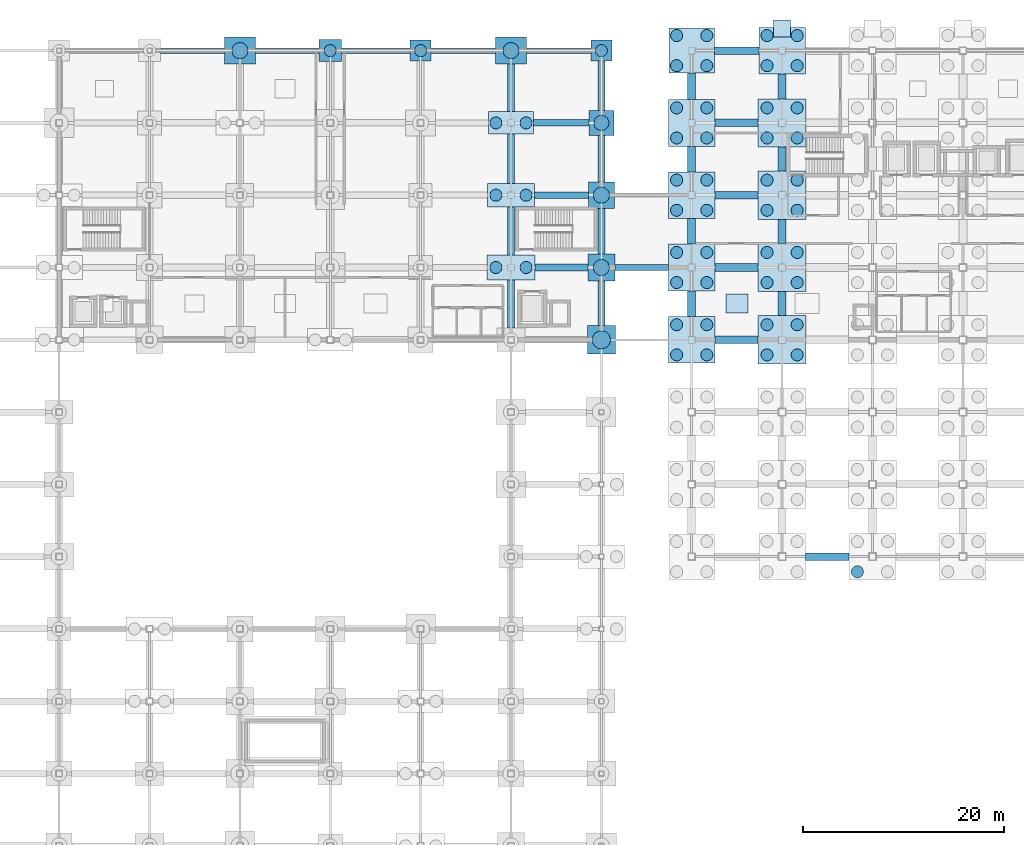
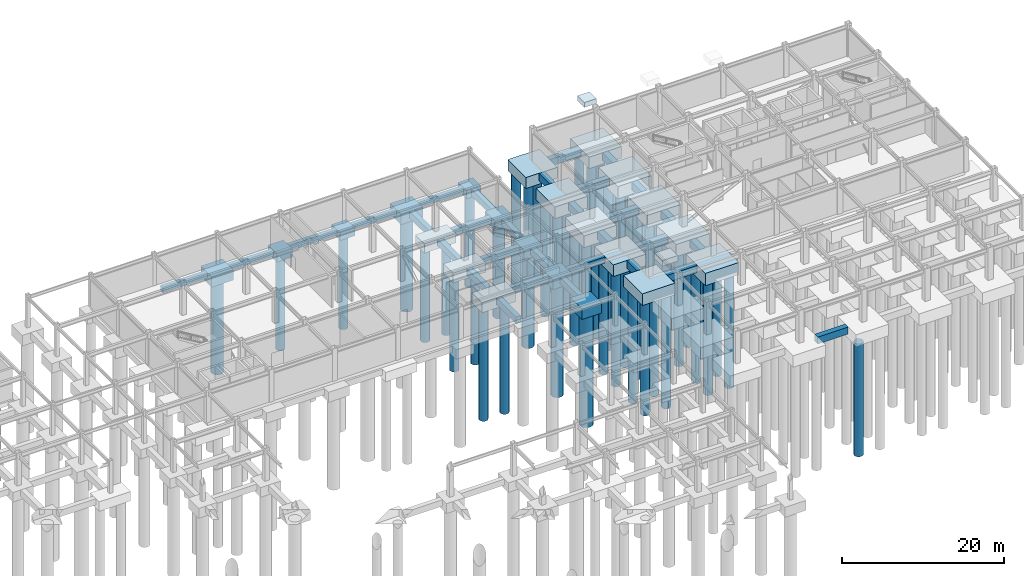
# One storey, part 8 of 28: 56 piles, 55 footings.
"""IFC4 building model written with IfcOpenShell, lengths in metres."""

from ifc_helpers import new_model, si_unit, direction, frame, origin, origin_2d, place, context, subcontext, project, spatial, rectangle, circle, extrude, material, material_profile, profile_set, type_object, element, save


model = new_model("IFC4")

# Units and contexts
model_context = context("Model", 3, precision=1e-05, world=origin(), true_north=direction((0.0, 1.0)))
body_context = subcontext(model_context, "Body", "Model", "MODEL_VIEW")
ifc_project = project(units=[si_unit("LENGTHUNIT", "METRE"), si_unit("AREAUNIT", "SQUARE_METRE"), si_unit("VOLUMEUNIT", "CUBIC_METRE"), si_unit("PLANEANGLEUNIT", "RADIAN"), si_unit("MASSUNIT", "GRAM", prefix="KILO")], contexts=[model_context])

# Site, building, storey
site_placement = place(None, origin())
site = spatial("IfcSite", under=ifc_project, at=site_placement, CompositionType="ELEMENT")
building_placement = place(site_placement, origin())
building = spatial("IfcBuilding", under=site, at=building_placement, Name="Kazanami Central Library", CompositionType="ELEMENT")
storey_placement = place(building_placement, frame((0.0, 0.0, -4.89990234375)))
storey = spatial("IfcBuildingStorey", under=building, at=storey_placement, Name="B01", CompositionType="ELEMENT", Elevation=-4.89990234375)

# Footings
ifc_material_1 = material(Name="Concrete Fc36 (36 MPa)", Category="concrete")
ifc_material_profile_1 = material_profile(ifc_material_1, rectangle(XDim=0.550048828125, YDim=0.85009765625, at=origin_2d()), Name="RC-550x850")
ifc_profile_set_1 = profile_set([ifc_material_profile_1], Name="Concrete Fc36 (36 MPa)")
footing_type_1 = type_object("IfcFootingType", Name="FTG-GB-01", PredefinedType="FOOTING_BEAM", material=ifc_profile_set_1)
for number, where, z_axis, x_axis, name in (
    (1, (64.10009765625, 93.60009765625, -1.045166015625), (1.0, 0.0, 0.0), (0.0, 1.0, 0.0), "Ground Tie Beam GB-01 O/8-9"),
    (2, (73.550048828125, 93.60009765625, -1.045166015625), (1.0, 0.0, 0.0), (0.0, 1.0, 0.0), "Ground Tie Beam GB-01 O/9-10"),
):
    element("IfcFooting", number, at=place(storey_placement, frame(where, z_axis=z_axis, x_axis=x_axis)), inside=storey, type_object=footing_type_1, Name=name, PredefinedType="FOOTING_BEAM", context=body_context, shape_type="SweptSolid", body=[
        extrude(rectangle(XDim=0.550048828125, YDim=0.85009765625, at=origin_2d()), origin(), (0.0, 0.0, 1.0), 6.349853515625),
    ])
footing_1_placement = place(storey_placement, frame((82.10009765625, 93.60009765625, -1.045166015625), z_axis=(1.0, 0.0, 0.0), x_axis=(0.0, 1.0, 0.0)))
element("IfcFooting", 3, at=footing_1_placement, inside=storey, type_object=footing_type_1, Name="Ground Tie Beam GB-01 O/10-11", PredefinedType="FOOTING_BEAM", context=body_context, shape_type="SweptSolid", body=[
    extrude(rectangle(XDim=0.550048828125, YDim=0.85009765625, at=origin_2d()), origin(), (0.0, 0.0, 1.0), 6.849853515625),
])
for number, where, z_axis, x_axis, name in (
    (4, (91.050048828125, 93.60009765625, -1.045166015625), (1.0, 0.0, 0.0), (0.0, 1.0, 0.0), "Ground Tie Beam GB-01 O/11-12"),
    (5, (100.550048828125, 93.60009765625, -1.045166015625), (1.0, 0.0, 0.0), (0.0, 1.0, 0.0), "Ground Tie Beam GB-01 O/12-13"),
):
    element("IfcFooting", number, at=place(storey_placement, frame(where, z_axis=z_axis, x_axis=x_axis)), inside=storey, type_object=footing_type_1, Name=name, PredefinedType="FOOTING_BEAM", context=body_context, shape_type="SweptSolid", body=[
        extrude(rectangle(XDim=0.550048828125, YDim=0.85009765625, at=origin_2d()), origin(), (0.0, 0.0, 1.0), 6.39990234375),
    ])
ifc_material_profile_2 = material_profile(ifc_material_1, rectangle(XDim=0.60009765625, YDim=0.89990234375, at=origin_2d()), Name="RC-600x900")
ifc_profile_set_2 = profile_set([ifc_material_profile_2], Name="Concrete Fc36 (36 MPa)")
footing_type_2 = type_object("IfcFootingType", Name="FTG-GB-02", PredefinedType="FOOTING_BEAM", material=ifc_profile_set_2)
footing_2_placement = place(storey_placement, frame((109.35009765625, 72.0, -1.070068359375), z_axis=(1.0, 0.0, 0.0), x_axis=(0.0, 1.0, 0.0)))
element("IfcFooting", 6, at=footing_2_placement, inside=storey, type_object=footing_type_2, Name="Ground Tie Beam GB-02 L/13-14", PredefinedType="FOOTING_BEAM", context=body_context, shape_type="SweptSolid", body=[
    extrude(rectangle(XDim=0.60009765625, YDim=0.89990234375, at=origin_2d()), origin(), (0.0, 0.0, 1.0), 5.324951171875),
])
ifc_material_profile_3 = material_profile(ifc_material_1, rectangle(XDim=0.64990234375, YDim=0.949951171875, at=origin_2d()), Name="RC-650x950")
ifc_profile_set_3 = profile_set([ifc_material_profile_3], Name="Concrete Fc36 (36 MPa)")
footing_type_3 = type_object("IfcFootingType", Name="FTG-GB-03", PredefinedType="FOOTING_BEAM", material=ifc_profile_set_3)
footing_3_placement = place(storey_placement, frame((101.39990234375, 72.0, -1.09521484375), z_axis=(1.0, 0.0, 0.0), x_axis=(0.0, 1.0, 0.0)))
element("IfcFooting", 7, at=footing_3_placement, inside=storey, type_object=footing_type_3, Name="Ground Tie Beam GB-03 L/12-13", PredefinedType="FOOTING_BEAM", context=body_context, shape_type="SweptSolid", body=[
    extrude(rectangle(XDim=0.64990234375, YDim=0.949951171875, at=origin_2d()), origin(), (0.0, 0.0, 1.0), 5.25),
])
footing_4_placement = place(storey_placement, frame((101.324951171875, 79.199951171875, -1.09521484375), z_axis=(1.0, 0.0, 0.0), x_axis=(0.0, 1.0, 0.0)))
element("IfcFooting", 8, at=footing_4_placement, inside=storey, type_object=footing_type_3, Name="Ground Tie Beam GB-03 M/12-13", PredefinedType="FOOTING_BEAM", context=body_context, shape_type="SweptSolid", body=[
    extrude(rectangle(XDim=0.64990234375, YDim=0.949951171875, at=origin_2d()), origin(), (0.0, 0.0, 1.0), 5.375),
])
footing_5_placement = place(storey_placement, frame((101.25, 86.39990234375, -1.09521484375), z_axis=(1.0, 0.0, 0.0), x_axis=(0.0, 1.0, 0.0)))
element("IfcFooting", 9, at=footing_5_placement, inside=storey, type_object=footing_type_3, Name="Ground Tie Beam GB-03 N/12-13", PredefinedType="FOOTING_BEAM", context=body_context, shape_type="SweptSolid", body=[
    extrude(rectangle(XDim=0.64990234375, YDim=0.949951171875, at=origin_2d()), origin(), (0.0, 0.0, 1.0), 5.5),
])
ifc_material_profile_4 = material_profile(ifc_material_1, rectangle(XDim=0.699951171875, YDim=1.0, at=origin_2d()), Name="RC-700x1000")
ifc_profile_set_4 = profile_set([ifc_material_profile_4], Name="Concrete Fc36 (36 MPa)")
footing_type_4 = type_object("IfcFootingType", Name="FTG-GB-04", PredefinedType="FOOTING_BEAM", material=ifc_profile_set_4)
for number, where, z_axis, x_axis, name in (
    (10, (99.0, 65.97509765625, -1.1201171875), (0.0, 1.0, 0.0), (-1.0, 0.0, 0.0), "Ground Tie Beam GB-04 12/K-L"),
    (11, (99.0, 73.22509765625, -1.1201171875), (0.0, 1.0, 0.0), (-1.0, 0.0, 0.0), "Ground Tie Beam GB-04 12/L-M"),
):
    element("IfcFooting", number, at=place(storey_placement, frame(where, z_axis=z_axis, x_axis=x_axis)), inside=storey, type_object=footing_type_4, Name=name, PredefinedType="FOOTING_BEAM", context=body_context, shape_type="SweptSolid", body=[
        extrude(rectangle(XDim=0.699951171875, YDim=1.0, at=origin_2d()), origin(), (0.0, 0.0, 1.0), 4.7998046875),
    ])
footing_6_placement = place(storey_placement, frame((99.0, 80.375, -1.1201171875), z_axis=(0.0, 1.0, 0.0), x_axis=(-1.0, 0.0, 0.0)))
element("IfcFooting", 12, at=footing_6_placement, inside=storey, type_object=footing_type_4, Name="Ground Tie Beam GB-04 12/M-N", PredefinedType="FOOTING_BEAM", context=body_context, shape_type="SweptSolid", body=[
    extrude(rectangle(XDim=0.699951171875, YDim=1.0, at=origin_2d()), origin(), (0.0, 0.0, 1.0), 4.89990234375),
])
footing_7_placement = place(storey_placement, frame((99.0, 87.52490234375, -1.1201171875), z_axis=(0.0, 1.0, 0.0), x_axis=(-1.0, 0.0, 0.0)))
element("IfcFooting", 13, at=footing_7_placement, inside=storey, type_object=footing_type_4, Name="Ground Tie Beam GB-04 12/N-O", PredefinedType="FOOTING_BEAM", context=body_context, shape_type="SweptSolid", body=[
    extrude(rectangle(XDim=0.699951171875, YDim=1.0, at=origin_2d()), origin(), (0.0, 0.0, 1.0), 4.72509765625),
])
footing_8_placement = place(storey_placement, frame((108.0, 66.199951171875, -1.1201171875), z_axis=(0.0, 1.0, 0.0), x_axis=(-1.0, 0.0, 0.0)))
element("IfcFooting", 14, at=footing_8_placement, inside=storey, type_object=footing_type_4, Name="Ground Tie Beam GB-04 13/K-L", PredefinedType="FOOTING_BEAM", context=body_context, shape_type="SweptSolid", body=[
    extrude(rectangle(XDim=0.699951171875, YDim=1.0, at=origin_2d()), origin(), (0.0, 0.0, 1.0), 4.449951171875),
])
footing_9_placement = place(storey_placement, frame((108.0, 73.35009765625, -1.1201171875), z_axis=(0.0, 1.0, 0.0), x_axis=(-1.0, 0.0, 0.0)))
element("IfcFooting", 15, at=footing_9_placement, inside=storey, type_object=footing_type_4, Name="Ground Tie Beam GB-04 13/L-M", PredefinedType="FOOTING_BEAM", context=body_context, shape_type="SweptSolid", body=[
    extrude(rectangle(XDim=0.699951171875, YDim=1.0, at=origin_2d()), origin(), (0.0, 0.0, 1.0), 4.5498046875),
])
footing_10_placement = place(storey_placement, frame((108.0, 80.5, -1.1201171875), z_axis=(0.0, 1.0, 0.0), x_axis=(-1.0, 0.0, 0.0)))
element("IfcFooting", 16, at=footing_10_placement, inside=storey, type_object=footing_type_4, Name="Ground Tie Beam GB-04 13/M-N", PredefinedType="FOOTING_BEAM", context=body_context, shape_type="SweptSolid", body=[
    extrude(rectangle(XDim=0.699951171875, YDim=1.0, at=origin_2d()), origin(), (0.0, 0.0, 1.0), 4.64990234375),
])
footing_11_placement = place(storey_placement, frame((108.0, 87.64990234375, -1.1201171875), z_axis=(0.0, 1.0, 0.0), x_axis=(-1.0, 0.0, 0.0)))
element("IfcFooting", 17, at=footing_11_placement, inside=storey, type_object=footing_type_4, Name="Ground Tie Beam GB-04 13/N-O", PredefinedType="FOOTING_BEAM", context=body_context, shape_type="SweptSolid", body=[
    extrude(rectangle(XDim=0.699951171875, YDim=1.0, at=origin_2d()), origin(), (0.0, 0.0, 1.0), 4.900146484375),
])
ifc_material_profile_5 = material_profile(ifc_material_1, rectangle(XDim=0.75, YDim=1.050048828125, at=origin_2d()), Name="RC-750x1050")
ifc_profile_set_5 = profile_set([ifc_material_profile_5], Name="Concrete Fc36 (36 MPa)")
footing_type_5 = type_object("IfcFootingType", Name="FTG-GB-05", PredefinedType="FOOTING_BEAM", material=ifc_profile_set_5)
footing_12_placement = place(storey_placement, frame((128.324951171875, 43.199951171875, -0.525146484375), z_axis=(1.0, 0.0, 0.0), x_axis=(0.0, 1.0, 0.0)))
element("IfcFooting", 18, at=footing_12_placement, inside=storey, type_object=footing_type_5, Name="Ground Tie Beam GB-05 G/15-16", PredefinedType="FOOTING_BEAM", context=body_context, shape_type="SweptSolid", body=[
    extrude(rectangle(XDim=0.75, YDim=1.050048828125, at=origin_2d()), origin(), (0.0, 0.0, 1.0), 4.35009765625),
])
for number, where, z_axis, x_axis, name in (
    (19, (119.324951171875, 64.800048828125, -1.14501953125), (1.0, 0.0, 0.0), (0.0, 1.0, 0.0), "Ground Tie Beam GB-05 K/14-15"),
    (20, (119.324951171875, 72.0, -1.14501953125), (1.0, 0.0, 0.0), (0.0, 1.0, 0.0), "Ground Tie Beam GB-05 L/14-15"),
    (21, (119.324951171875, 79.199951171875, -1.14501953125), (1.0, 0.0, 0.0), (0.0, 1.0, 0.0), "Ground Tie Beam GB-05 M/14-15"),
    (22, (119.324951171875, 86.39990234375, -1.14501953125), (1.0, 0.0, 0.0), (0.0, 1.0, 0.0), "Ground Tie Beam GB-05 N/14-15"),
):
    element("IfcFooting", number, at=place(storey_placement, frame(where, z_axis=z_axis, x_axis=x_axis)), inside=storey, type_object=footing_type_5, Name=name, PredefinedType="FOOTING_BEAM", context=body_context, shape_type="SweptSolid", body=[
        extrude(rectangle(XDim=0.75, YDim=1.050048828125, at=origin_2d()), origin(), (0.0, 0.0, 1.0), 4.275146484375),
    ])
footing_13_placement = place(storey_placement, frame((119.25, 93.60009765625, -1.14501953125), z_axis=(1.0, 0.0, 0.0), x_axis=(0.0, 1.0, 0.0)))
element("IfcFooting", 23, at=footing_13_placement, inside=storey, type_object=footing_type_5, Name="Ground Tie Beam GB-05 O/14-15", PredefinedType="FOOTING_BEAM", context=body_context, shape_type="SweptSolid", body=[
    extrude(rectangle(XDim=0.75, YDim=1.050048828125, at=origin_2d()), origin(), (0.0, 0.0, 1.0), 4.425048828125),
])
ifc_material_profile_6 = material_profile(ifc_material_1, rectangle(XDim=0.800048828125, YDim=1.14990234375, at=origin_2d()), Name="RC-800x1150")
ifc_profile_set_6 = profile_set([ifc_material_profile_6], Name="Concrete Fc36 (36 MPa)")
footing_type_6 = type_object("IfcFootingType", Name="FTG-GB-06", PredefinedType="FOOTING_BEAM", material=ifc_profile_set_6)
for number, where, z_axis, x_axis, name in (
    (24, (117.0, 67.125, -1.195068359375), (0.0, 1.0, 0.0), (-1.0, 0.0, 0.0), "Ground Tie Beam GB-06 14/K-L"),
    (25, (117.0, 74.324951171875, -1.195068359375), (0.0, 1.0, 0.0), (-1.0, 0.0, 0.0), "Ground Tie Beam GB-06 14/L-M"),
    (26, (117.0, 81.52490234375, -1.195068359375), (0.0, 1.0, 0.0), (-1.0, 0.0, 0.0), "Ground Tie Beam GB-06 14/M-N"),
):
    element("IfcFooting", number, at=place(storey_placement, frame(where, z_axis=z_axis, x_axis=x_axis)), inside=storey, type_object=footing_type_6, Name=name, PredefinedType="FOOTING_BEAM", context=body_context, shape_type="SweptSolid", body=[
        extrude(rectangle(XDim=0.800048828125, YDim=1.14990234375, at=origin_2d()), origin(), (0.0, 0.0, 1.0), 2.550048828125),
    ])
footing_14_placement = place(storey_placement, frame((117.0, 88.72509765625, -1.195068359375), z_axis=(0.0, 1.0, 0.0), x_axis=(-1.0, 0.0, 0.0)))
element("IfcFooting", 27, at=footing_14_placement, inside=storey, type_object=footing_type_6, Name="Ground Tie Beam GB-06 14/N-O", PredefinedType="FOOTING_BEAM", context=body_context, shape_type="SweptSolid", body=[
    extrude(rectangle(XDim=0.800048828125, YDim=1.14990234375, at=origin_2d()), origin(), (0.0, 0.0, 1.0), 2.625),
])
for number, where, z_axis, x_axis, name in (
    (28, (126.0, 67.199951171875, -1.195068359375), (0.0, 1.0, 0.0), (-1.0, 0.0, 0.0), "Ground Tie Beam GB-06 15/K-L"),
    (29, (126.0, 74.39990234375, -1.195068359375), (0.0, 1.0, 0.0), (-1.0, 0.0, 0.0), "Ground Tie Beam GB-06 15/L-M"),
):
    element("IfcFooting", number, at=place(storey_placement, frame(where, z_axis=z_axis, x_axis=x_axis)), inside=storey, type_object=footing_type_6, Name=name, PredefinedType="FOOTING_BEAM", context=body_context, shape_type="SweptSolid", body=[
        extrude(rectangle(XDim=0.800048828125, YDim=1.14990234375, at=origin_2d()), origin(), (0.0, 0.0, 1.0), 2.400146484375),
    ])
footing_15_placement = place(storey_placement, frame((126.0, 81.60009765625, -1.195068359375), z_axis=(0.0, 1.0, 0.0), x_axis=(-1.0, 0.0, 0.0)))
element("IfcFooting", 30, at=footing_15_placement, inside=storey, type_object=footing_type_6, Name="Ground Tie Beam GB-06 15/M-N", PredefinedType="FOOTING_BEAM", context=body_context, shape_type="SweptSolid", body=[
    extrude(rectangle(XDim=0.800048828125, YDim=1.14990234375, at=origin_2d()), origin(), (0.0, 0.0, 1.0), 2.39990234375),
])
footing_16_placement = place(storey_placement, frame((126.0, 88.800048828125, -1.195068359375), z_axis=(0.0, 1.0, 0.0), x_axis=(-1.0, 0.0, 0.0)))
element("IfcFooting", 31, at=footing_16_placement, inside=storey, type_object=footing_type_6, Name="Ground Tie Beam GB-06 15/N-O", PredefinedType="FOOTING_BEAM", context=body_context, shape_type="SweptSolid", body=[
    extrude(rectangle(XDim=0.800048828125, YDim=1.14990234375, at=origin_2d()), origin(), (0.0, 0.0, 1.0), 2.474853515625),
])
footing_type_7 = type_object("IfcFootingType", Name="FTG-PC-01", PredefinedType="PILE_CAP", material=ifc_material_1)
for number, where, z_axis, x_axis, name in (
    (32, (126.0, 64.800048828125, -2.47021484375), (0.0, 0.0, 1.0), (1.0, 0.0, 0.0), "Pile Cap PC-01 at 15/K"),
    (33, (126.0, 72.0, -2.47021484375), (0.0, 0.0, 1.0), (1.0, 0.0, 0.0), "Pile Cap PC-01 at 15/L"),
    (34, (126.0, 79.199951171875, -2.47021484375), (0.0, 0.0, 1.0), (1.0, 0.0, 0.0), "Pile Cap PC-01 at 15/M"),
    (35, (126.0, 86.39990234375, -2.47021484375), (0.0, 0.0, 1.0), (1.0, 0.0, 0.0), "Pile Cap PC-01 at 15/N"),
):
    element("IfcFooting", number, at=place(storey_placement, frame(where, z_axis=z_axis, x_axis=x_axis)), inside=storey, type_object=footing_type_7, Name=name, PredefinedType="PILE_CAP", context=body_context, shape_type="SweptSolid", body=[
        extrude(rectangle(XDim=4.800048828125, YDim=4.800048828125, at=origin_2d()), origin(), (0.0, 0.0, 1.0), 1.85009765625),
    ])
footing_type_8 = type_object("IfcFootingType", Name="FTG-PC-02", PredefinedType="PILE_CAP", material=ifc_material_1)
for number, where, z_axis, x_axis, name in (
    (36, (117.0, 64.800048828125, -2.3701171875), (0.0, 0.0, 1.0), (1.0, 0.0, 0.0), "Pile Cap PC-02 at 14/K"),
    (37, (117.0, 72.0, -2.3701171875), (0.0, 0.0, 1.0), (1.0, 0.0, 0.0), "Pile Cap PC-02 at 14/L"),
    (38, (117.0, 79.199951171875, -2.3701171875), (0.0, 0.0, 1.0), (1.0, 0.0, 0.0), "Pile Cap PC-02 at 14/M"),
    (39, (117.0, 86.39990234375, -2.3701171875), (0.0, 0.0, 1.0), (1.0, 0.0, 0.0), "Pile Cap PC-02 at 14/N"),
    (40, (126.0, 93.60009765625, -2.3701171875), (0.0, 0.0, 1.0), (1.0, 0.0, 0.0), "Pile Cap PC-02 at 15/O"),
):
    element("IfcFooting", number, at=place(storey_placement, frame(where, z_axis=z_axis, x_axis=x_axis)), inside=storey, type_object=footing_type_8, Name=name, PredefinedType="PILE_CAP", context=body_context, shape_type="SweptSolid", body=[
        extrude(rectangle(XDim=4.64990234375, YDim=4.64990234375, at=origin_2d()), origin(), (0.0, 0.0, 1.0), 1.75),
    ])
footing_type_9 = type_object("IfcFootingType", Name="FTG-PC-03", PredefinedType="PILE_CAP", material=ifc_material_1)
footing_17_placement = place(storey_placement, frame((117.0, 93.60009765625, -2.27001953125), z_axis=(0.0, 0.0, 1.0), x_axis=(1.0, 0.0, 0.0)))
element("IfcFooting", 41, at=footing_17_placement, inside=storey, type_object=footing_type_9, Name="Pile Cap PC-03 at 14/O", PredefinedType="PILE_CAP", context=body_context, shape_type="SweptSolid", body=[
    extrude(rectangle(XDim=4.5, YDim=4.5, at=origin_2d()), origin(), (0.0, 0.0, 1.0), 1.64990234375),
])
footing_type_10 = type_object("IfcFootingType", Name="FTG-PC-04", PredefinedType="PILE_CAP", material=ifc_material_1)
footing_18_placement = place(storey_placement, frame((99.0, 72.0, -2.169921875), z_axis=(0.0, 0.0, 1.0), x_axis=(1.0, 0.0, 0.0)))
element("IfcFooting", 42, at=footing_18_placement, inside=storey, type_object=footing_type_10, Name="Pile Cap PC-04 at 12/L", PredefinedType="PILE_CAP", context=body_context, shape_type="SweptSolid", body=[
    extrude(rectangle(XDim=4.800048828125, YDim=2.449951171875, at=origin_2d()), origin(), (0.0, 0.0, 1.0), 1.550048828125),
])
footing_type_11 = type_object("IfcFootingType", Name="FTG-PC-05", PredefinedType="PILE_CAP", material=ifc_material_1)
footing_19_placement = place(storey_placement, frame((99.0, 79.199951171875, -2.10009765625), z_axis=(0.0, 0.0, 1.0), x_axis=(1.0, 0.0, 0.0)))
element("IfcFooting", 43, at=footing_19_placement, inside=storey, type_object=footing_type_11, Name="Pile Cap PC-05 at 12/M", PredefinedType="PILE_CAP", context=body_context, shape_type="SweptSolid", body=[
    extrude(rectangle(XDim=4.64990234375, YDim=2.35009765625, at=origin_2d()), origin(), (0.0, 0.0, 1.0), 1.47998046875),
])
footing_type_12 = type_object("IfcFootingType", Name="FTG-PC-06", PredefinedType="PILE_CAP", material=ifc_material_1)
footing_20_placement = place(storey_placement, frame((99.0, 86.39990234375, -2.0400390625), z_axis=(0.0, 0.0, 1.0), x_axis=(1.0, 0.0, 0.0)))
element("IfcFooting", 44, at=footing_20_placement, inside=storey, type_object=footing_type_12, Name="Pile Cap PC-06 at 12/N", PredefinedType="PILE_CAP", context=body_context, shape_type="SweptSolid", body=[
    extrude(rectangle(XDim=4.5, YDim=2.25, at=origin_2d()), origin(), (0.0, 0.0, 1.0), 1.419921875),
])
footing_type_13 = type_object("IfcFootingType", Name="FTG-PC-08", PredefinedType="PILE_CAP", material=ifc_material_1)
footing_21_placement = place(storey_placement, frame((108.0, 64.800048828125, -2.22021484375), z_axis=(0.0, 0.0, 1.0), x_axis=(1.0, 0.0, 0.0)))
element("IfcFooting", 45, at=footing_21_placement, inside=storey, type_object=footing_type_13, Name="Pile Cap PC-08 at 13/K", PredefinedType="PILE_CAP", context=body_context, shape_type="SweptSolid", body=[
    extrude(rectangle(XDim=2.800048828125, YDim=2.800048828125, at=origin_2d()), origin(), (0.0, 0.0, 1.0), 1.60009765625),
])
footing_type_14 = type_object("IfcFootingType", Name="FTG-PC-09", PredefinedType="PILE_CAP", material=ifc_material_1)
footing_22_placement = place(storey_placement, frame((108.0, 72.0, -2.14013671875), z_axis=(0.0, 0.0, 1.0), x_axis=(1.0, 0.0, 0.0)))
element("IfcFooting", 46, at=footing_22_placement, inside=storey, type_object=footing_type_14, Name="Pile Cap PC-09 at 13/L", PredefinedType="PILE_CAP", context=body_context, shape_type="SweptSolid", body=[
    extrude(rectangle(XDim=2.699951171875, YDim=2.699951171875, at=origin_2d()), origin(), (0.0, 0.0, 1.0), 1.52001953125),
])
footing_type_15 = type_object("IfcFootingType", Name="FTG-PC-10", PredefinedType="PILE_CAP", material=ifc_material_1)
footing_23_placement = place(storey_placement, frame((108.0, 79.199951171875, -2.10009765625), z_axis=(0.0, 0.0, 1.0), x_axis=(1.0, 0.0, 0.0)))
element("IfcFooting", 47, at=footing_23_placement, inside=storey, type_object=footing_type_15, Name="Pile Cap PC-10 at 13/M", PredefinedType="PILE_CAP", context=body_context, shape_type="SweptSolid", body=[
    extrude(rectangle(XDim=2.60009765625, YDim=2.60009765625, at=origin_2d()), origin(), (0.0, 0.0, 1.0), 1.47998046875),
])
footing_type_16 = type_object("IfcFootingType", Name="FTG-PC-11", PredefinedType="PILE_CAP", material=ifc_material_1)
footing_24_placement = place(storey_placement, frame((108.0, 86.39990234375, -2.0400390625), z_axis=(0.0, 0.0, 1.0), x_axis=(1.0, 0.0, 0.0)))
element("IfcFooting", 48, at=footing_24_placement, inside=storey, type_object=footing_type_16, Name="Pile Cap PC-11 at 13/N", PredefinedType="PILE_CAP", context=body_context, shape_type="SweptSolid", body=[
    extrude(rectangle(XDim=2.5, YDim=2.5, at=origin_2d()), origin(), (0.0, 0.0, 1.0), 1.419921875),
])
footing_type_17 = type_object("IfcFootingType", Name="FTG-PC-14", PredefinedType="PILE_CAP", material=ifc_material_1)
footing_25_placement = place(storey_placement, frame((81.0, 93.60009765625, -1.8701171875), z_axis=(0.0, 0.0, 1.0), x_axis=(1.0, 0.0, 0.0)))
element("IfcFooting", 49, at=footing_25_placement, inside=storey, type_object=footing_type_17, Name="Pile Cap PC-14 at 10/O", PredefinedType="PILE_CAP", context=body_context, shape_type="SweptSolid", body=[
    extrude(rectangle(XDim=2.199951171875, YDim=2.199951171875, at=origin_2d()), origin(), (0.0, 0.0, 1.0), 1.25),
])
footing_type_18 = type_object("IfcFootingType", Name="FTG-PC-15", PredefinedType="PILE_CAP", material=ifc_material_1)
for number, where, z_axis, x_axis, name in (
    (50, (90.0, 93.60009765625, -1.8203125), (0.0, 0.0, 1.0), (1.0, 0.0, 0.0), "Pile Cap PC-15 at 11/O"),
    (51, (108.0, 93.60009765625, -1.8203125), (0.0, 0.0, 1.0), (1.0, 0.0, 0.0), "Pile Cap PC-15 at 13/O"),
):
    element("IfcFooting", number, at=place(storey_placement, frame(where, z_axis=z_axis, x_axis=x_axis)), inside=storey, type_object=footing_type_18, Name=name, PredefinedType="PILE_CAP", context=body_context, shape_type="SweptSolid", body=[
        extrude(rectangle(XDim=2.10009765625, YDim=2.10009765625, at=origin_2d()), origin(), (0.0, 0.0, 1.0), 1.199951171875),
    ])
footing_type_19 = type_object("IfcFootingType", Name="FTG-PC-17", PredefinedType="PILE_CAP", material=ifc_material_1)
for number, where, z_axis, x_axis, name in (
    (52, (72.0, 93.60009765625, -2.2001953125), (0.0, 0.0, 1.0), (1.0, 0.0, 0.0), "Pile Cap PC-17 at 9/O"),
    (53, (99.0, 93.60009765625, -2.2001953125), (0.0, 0.0, 1.0), (1.0, 0.0, 0.0), "Pile Cap PC-17 at 12/O"),
):
    element("IfcFooting", number, at=place(storey_placement, frame(where, z_axis=z_axis, x_axis=x_axis)), inside=storey, type_object=footing_type_19, Name=name, PredefinedType="PILE_CAP", context=body_context, shape_type="SweptSolid", body=[
        extrude(rectangle(XDim=3.10009765625, YDim=2.699951171875, at=origin_2d()), origin(), (0.0, 0.0, 1.0), 1.580078125),
    ])
ifc_material_2 = material(Name="Concrete Fc30 (30 MPa)", Category="concrete")
footing_type_20 = type_object("IfcFootingType", Name="FTG-PF-01", PredefinedType="PAD_FOOTING", material=ifc_material_2)
footing_26_placement = place(storey_placement, frame((126.0, 95.800048828125, 4.125), z_axis=(0.0, 0.0, 1.0), x_axis=(1.0, 0.0, 0.0)))
element("IfcFooting", 54, at=footing_26_placement, inside=storey, type_object=footing_type_20, Name="Canopy Post Pad Footing CAN-V2-NORTH X=126", PredefinedType="PAD_FOOTING", context=body_context, shape_type="SweptSolid", body=[
    extrude(rectangle(XDim=1.699951171875, YDim=1.699951171875, at=origin_2d()), origin(), (0.0, 0.0, 1.0), 0.75),
])
footing_type_21 = type_object("IfcFootingType", Name="FTG-PF-07", PredefinedType="PAD_FOOTING", material=ifc_material_2)
footing_27_placement = place(storey_placement, frame((121.5, 68.39990234375, -1.47021484375), z_axis=(0.0, 0.0, 1.0), x_axis=(1.0, 0.0, 0.0)))
element("IfcFooting", 55, at=footing_27_placement, inside=storey, type_object=footing_type_21, Name="Equipment Pad Footing PF-07", PredefinedType="PAD_FOOTING", context=body_context, shape_type="SweptSolid", body=[
    extrude(rectangle(XDim=2.199951171875, YDim=1.89990234375, at=origin_2d()), origin(), (0.0, 0.0, 1.0), 0.85009765625),
])

# Piles
ifc_material_profile_7 = material_profile(ifc_material_1, circle(Radius=0.60009765625, at=origin_2d()), Name="BORED-D1200")
ifc_profile_set_7 = profile_set([ifc_material_profile_7], Name="Concrete Fc36 (36 MPa)")
pile_type_1 = type_object("IfcPileType", Name="PIL-PL-12", PredefinedType="BORED", material=ifc_profile_set_7)
for number, where, z_axis, x_axis, name in (
    (56, (81.0, 93.60009765625, -1.8701171875), (0.0, 0.0, -1.0), (1.0, 0.0, 0.0), "Bored Pile PL-12 10/O-1"),
    (57, (90.0, 93.60009765625, -1.820068359375), (0.0, 0.0, -1.0), (1.0, 0.0, 0.0), "Bored Pile PL-12 11/O-1"),
):
    element("IfcPile", number, at=place(storey_placement, frame(where, z_axis=z_axis, x_axis=x_axis)), inside=storey, type_object=pile_type_1, Name=name, PredefinedType="BORED", context=body_context, shape_type="SweptSolid", body=[
        extrude(circle(Radius=0.60009765625, at=origin_2d()), origin(), (0.0, 0.0, 1.0), 14.0),
    ])
for number, where, z_axis, x_axis, name in (
    (58, (97.5, 72.0, -2.170166015625), (0.0, 0.0, -1.0), (1.0, 0.0, 0.0), "Bored Pile PL-12 12/L-1"),
    (59, (100.5, 72.0, -2.170166015625), (0.0, 0.0, -1.0), (1.0, 0.0, 0.0), "Bored Pile PL-12 12/L-2"),
):
    element("IfcPile", number, at=place(storey_placement, frame(where, z_axis=z_axis, x_axis=x_axis)), inside=storey, type_object=pile_type_1, Name=name, PredefinedType="BORED", context=body_context, shape_type="SweptSolid", body=[
        extrude(circle(Radius=0.60009765625, at=origin_2d()), origin(), (0.0, 0.0, 1.0), 17.0),
    ])
for number, where, z_axis, x_axis, name in (
    (60, (97.5, 79.199951171875, -2.10009765625), (0.0, 0.0, -1.0), (1.0, 0.0, 0.0), "Bored Pile PL-12 12/M-1"),
    (61, (100.5, 79.199951171875, -2.10009765625), (0.0, 0.0, -1.0), (1.0, 0.0, 0.0), "Bored Pile PL-12 12/M-2"),
    (62, (97.5, 86.39990234375, -2.0400390625), (0.0, 0.0, -1.0), (1.0, 0.0, 0.0), "Bored Pile PL-12 12/N-1"),
    (63, (100.5, 86.39990234375, -2.0400390625), (0.0, 0.0, -1.0), (1.0, 0.0, 0.0), "Bored Pile PL-12 12/N-2"),
    (64, (108.0, 93.60009765625, -1.820068359375), (0.0, 0.0, -1.0), (1.0, 0.0, 0.0), "Bored Pile PL-12 13/O-1"),
):
    element("IfcPile", number, at=place(storey_placement, frame(where, z_axis=z_axis, x_axis=x_axis)), inside=storey, type_object=pile_type_1, Name=name, PredefinedType="BORED", context=body_context, shape_type="SweptSolid", body=[
        extrude(circle(Radius=0.60009765625, at=origin_2d()), origin(), (0.0, 0.0, 1.0), 14.0),
    ])
for number, where, z_axis, x_axis, name in (
    (65, (115.5, 63.300048828125, -2.3701171875), (0.0, 0.0, -1.0), (1.0, 0.0, 0.0), "Bored Pile PL-12 14/K-1"),
    (66, (118.5, 63.300048828125, -2.3701171875), (0.0, 0.0, -1.0), (1.0, 0.0, 0.0), "Bored Pile PL-12 14/K-2"),
    (67, (115.5, 66.300048828125, -2.3701171875), (0.0, 0.0, -1.0), (1.0, 0.0, 0.0), "Bored Pile PL-12 14/K-3"),
    (68, (118.5, 66.300048828125, -2.3701171875), (0.0, 0.0, -1.0), (1.0, 0.0, 0.0), "Bored Pile PL-12 14/K-4"),
    (69, (115.5, 70.5, -2.3701171875), (0.0, 0.0, -1.0), (1.0, 0.0, 0.0), "Bored Pile PL-12 14/L-1"),
    (70, (118.5, 70.5, -2.3701171875), (0.0, 0.0, -1.0), (1.0, 0.0, 0.0), "Bored Pile PL-12 14/L-2"),
    (71, (115.5, 73.5, -2.3701171875), (0.0, 0.0, -1.0), (1.0, 0.0, 0.0), "Bored Pile PL-12 14/L-3"),
    (72, (118.5, 73.5, -2.3701171875), (0.0, 0.0, -1.0), (1.0, 0.0, 0.0), "Bored Pile PL-12 14/L-4"),
    (73, (115.5, 77.699951171875, -2.3701171875), (0.0, 0.0, -1.0), (1.0, 0.0, 0.0), "Bored Pile PL-12 14/M-1"),
    (74, (118.5, 77.699951171875, -2.3701171875), (0.0, 0.0, -1.0), (1.0, 0.0, 0.0), "Bored Pile PL-12 14/M-2"),
    (75, (115.5, 80.699951171875, -2.3701171875), (0.0, 0.0, -1.0), (1.0, 0.0, 0.0), "Bored Pile PL-12 14/M-3"),
    (76, (118.5, 80.699951171875, -2.3701171875), (0.0, 0.0, -1.0), (1.0, 0.0, 0.0), "Bored Pile PL-12 14/M-4"),
    (77, (115.5, 84.89990234375, -2.3701171875), (0.0, 0.0, -1.0), (1.0, 0.0, 0.0), "Bored Pile PL-12 14/N-1"),
    (78, (118.5, 84.89990234375, -2.3701171875), (0.0, 0.0, -1.0), (1.0, 0.0, 0.0), "Bored Pile PL-12 14/N-2"),
    (79, (115.5, 87.89990234375, -2.3701171875), (0.0, 0.0, -1.0), (1.0, 0.0, 0.0), "Bored Pile PL-12 14/N-3"),
    (80, (118.5, 87.89990234375, -2.3701171875), (0.0, 0.0, -1.0), (1.0, 0.0, 0.0), "Bored Pile PL-12 14/N-4"),
    (81, (115.5, 92.10009765625, -2.27001953125), (0.0, 0.0, -1.0), (1.0, 0.0, 0.0), "Bored Pile PL-12 14/O-1"),
    (82, (118.5, 92.10009765625, -2.27001953125), (0.0, 0.0, -1.0), (1.0, 0.0, 0.0), "Bored Pile PL-12 14/O-2"),
    (83, (115.5, 95.10009765625, -2.27001953125), (0.0, 0.0, -1.0), (1.0, 0.0, 0.0), "Bored Pile PL-12 14/O-3"),
    (84, (118.5, 95.10009765625, -2.27001953125), (0.0, 0.0, -1.0), (1.0, 0.0, 0.0), "Bored Pile PL-12 14/O-4"),
    (85, (124.5, 63.300048828125, -2.47021484375), (0.0, 0.0, -1.0), (1.0, 0.0, 0.0), "Bored Pile PL-12 15/K-1"),
    (86, (127.5, 63.300048828125, -2.47021484375), (0.0, 0.0, -1.0), (1.0, 0.0, 0.0), "Bored Pile PL-12 15/K-2"),
    (87, (124.5, 66.300048828125, -2.47021484375), (0.0, 0.0, -1.0), (1.0, 0.0, 0.0), "Bored Pile PL-12 15/K-3"),
    (88, (127.5, 66.300048828125, -2.47021484375), (0.0, 0.0, -1.0), (1.0, 0.0, 0.0), "Bored Pile PL-12 15/K-4"),
    (89, (124.5, 70.5, -2.47021484375), (0.0, 0.0, -1.0), (1.0, 0.0, 0.0), "Bored Pile PL-12 15/L-1"),
    (90, (127.5, 70.5, -2.47021484375), (0.0, 0.0, -1.0), (1.0, 0.0, 0.0), "Bored Pile PL-12 15/L-2"),
    (91, (124.5, 73.5, -2.47021484375), (0.0, 0.0, -1.0), (1.0, 0.0, 0.0), "Bored Pile PL-12 15/L-3"),
    (92, (127.5, 73.5, -2.47021484375), (0.0, 0.0, -1.0), (1.0, 0.0, 0.0), "Bored Pile PL-12 15/L-4"),
    (93, (124.5, 77.699951171875, -2.47021484375), (0.0, 0.0, -1.0), (1.0, 0.0, 0.0), "Bored Pile PL-12 15/M-1"),
    (94, (127.5, 77.699951171875, -2.47021484375), (0.0, 0.0, -1.0), (1.0, 0.0, 0.0), "Bored Pile PL-12 15/M-2"),
    (95, (124.5, 80.699951171875, -2.47021484375), (0.0, 0.0, -1.0), (1.0, 0.0, 0.0), "Bored Pile PL-12 15/M-3"),
    (96, (127.5, 80.699951171875, -2.47021484375), (0.0, 0.0, -1.0), (1.0, 0.0, 0.0), "Bored Pile PL-12 15/M-4"),
    (97, (124.5, 84.89990234375, -2.47021484375), (0.0, 0.0, -1.0), (1.0, 0.0, 0.0), "Bored Pile PL-12 15/N-1"),
    (98, (127.5, 84.89990234375, -2.47021484375), (0.0, 0.0, -1.0), (1.0, 0.0, 0.0), "Bored Pile PL-12 15/N-2"),
    (99, (124.5, 87.89990234375, -2.47021484375), (0.0, 0.0, -1.0), (1.0, 0.0, 0.0), "Bored Pile PL-12 15/N-3"),
    (100, (127.5, 87.89990234375, -2.47021484375), (0.0, 0.0, -1.0), (1.0, 0.0, 0.0), "Bored Pile PL-12 15/N-4"),
    (101, (124.5, 92.10009765625, -2.3701171875), (0.0, 0.0, -1.0), (1.0, 0.0, 0.0), "Bored Pile PL-12 15/O-1"),
    (102, (127.5, 92.10009765625, -2.3701171875), (0.0, 0.0, -1.0), (1.0, 0.0, 0.0), "Bored Pile PL-12 15/O-2"),
    (103, (124.5, 95.10009765625, -2.3701171875), (0.0, 0.0, -1.0), (1.0, 0.0, 0.0), "Bored Pile PL-12 15/O-3"),
    (104, (127.5, 95.10009765625, -2.3701171875), (0.0, 0.0, -1.0), (1.0, 0.0, 0.0), "Bored Pile PL-12 15/O-4"),
    (105, (133.5, 41.699951171875, -1.75), (0.0, 0.0, -1.0), (1.0, 0.0, 0.0), "Bored Pile PL-12 16/G-1"),
):
    element("IfcPile", number, at=place(storey_placement, frame(where, z_axis=z_axis, x_axis=x_axis)), inside=storey, type_object=pile_type_1, Name=name, PredefinedType="BORED", context=body_context, shape_type="SweptSolid", body=[
        extrude(circle(Radius=0.60009765625, at=origin_2d()), origin(), (0.0, 0.0, 1.0), 17.0),
    ])
ifc_material_profile_8 = material_profile(ifc_material_1, circle(Radius=0.75, at=origin_2d()), Name="BORED-D1500")
ifc_profile_set_8 = profile_set([ifc_material_profile_8], Name="Concrete Fc36 (36 MPa)")
pile_type_2 = type_object("IfcPileType", Name="PIL-PL-15", PredefinedType="BORED", material=ifc_profile_set_8)
pile_1_placement = place(storey_placement, frame((108.0, 86.39990234375, -2.0400390625), z_axis=(0.0, 0.0, -1.0), x_axis=(1.0, 0.0, 0.0)))
element("IfcPile", 106, at=pile_1_placement, inside=storey, type_object=pile_type_2, Name="Bored Pile PL-15 13/N-1", PredefinedType="BORED", context=body_context, shape_type="SweptSolid", body=[
    extrude(circle(Radius=0.75, at=origin_2d()), origin(), (0.0, 0.0, 1.0), 14.0),
])
ifc_material_profile_9 = material_profile(ifc_material_1, circle(Radius=0.800048828125, at=origin_2d()), Name="BORED-D1600")
ifc_profile_set_9 = profile_set([ifc_material_profile_9], Name="Concrete Fc36 (36 MPa)")
pile_type_3 = type_object("IfcPileType", Name="PIL-PL-16", PredefinedType="BORED", material=ifc_profile_set_9)
for number, where, z_axis, x_axis, name in (
    (107, (72.0, 93.60009765625, -2.2001953125), (0.0, 0.0, -1.0), (1.0, 0.0, 0.0), "Bored Pile PL-16 9/O-1"),
    (108, (99.0, 93.60009765625, -2.2001953125), (0.0, 0.0, -1.0), (1.0, 0.0, 0.0), "Bored Pile PL-16 12/O-1"),
):
    element("IfcPile", number, at=place(storey_placement, frame(where, z_axis=z_axis, x_axis=x_axis)), inside=storey, type_object=pile_type_3, Name=name, PredefinedType="BORED", context=body_context, shape_type="SweptSolid", body=[
        extrude(circle(Radius=0.800048828125, at=origin_2d()), origin(), (0.0, 0.0, 1.0), 14.0),
    ])
pile_2_placement = place(storey_placement, frame((108.0, 72.0, -2.14013671875), z_axis=(0.0, 0.0, -1.0), x_axis=(1.0, 0.0, 0.0)))
element("IfcPile", 109, at=pile_2_placement, inside=storey, type_object=pile_type_3, Name="Bored Pile PL-16 13/L-1", PredefinedType="BORED", context=body_context, shape_type="SweptSolid", body=[
    extrude(circle(Radius=0.800048828125, at=origin_2d()), origin(), (0.0, 0.0, 1.0), 17.0),
])
pile_3_placement = place(storey_placement, frame((108.0, 79.199951171875, -2.10009765625), z_axis=(0.0, 0.0, -1.0), x_axis=(1.0, 0.0, 0.0)))
element("IfcPile", 110, at=pile_3_placement, inside=storey, type_object=pile_type_3, Name="Bored Pile PL-16 13/M-1", PredefinedType="BORED", context=body_context, shape_type="SweptSolid", body=[
    extrude(circle(Radius=0.800048828125, at=origin_2d()), origin(), (0.0, 0.0, 1.0), 14.0),
])
ifc_material_profile_10 = material_profile(ifc_material_1, circle(Radius=0.89990234375, at=origin_2d()), Name="BORED-D1800")
ifc_profile_set_10 = profile_set([ifc_material_profile_10], Name="Concrete Fc36 (36 MPa)")
pile_type_4 = type_object("IfcPileType", Name="PIL-PL-18", PredefinedType="BORED", material=ifc_profile_set_10)
pile_4_placement = place(storey_placement, frame((108.0, 64.800048828125, -2.22021484375), z_axis=(0.0, 0.0, -1.0), x_axis=(1.0, 0.0, 0.0)))
element("IfcPile", 111, at=pile_4_placement, inside=storey, type_object=pile_type_4, Name="Bored Pile PL-18 13/K-1", PredefinedType="BORED", context=body_context, shape_type="SweptSolid", body=[
    extrude(circle(Radius=0.89990234375, at=origin_2d()), origin(), (0.0, 0.0, 1.0), 17.0),
])

save(model, "model.ifc")
